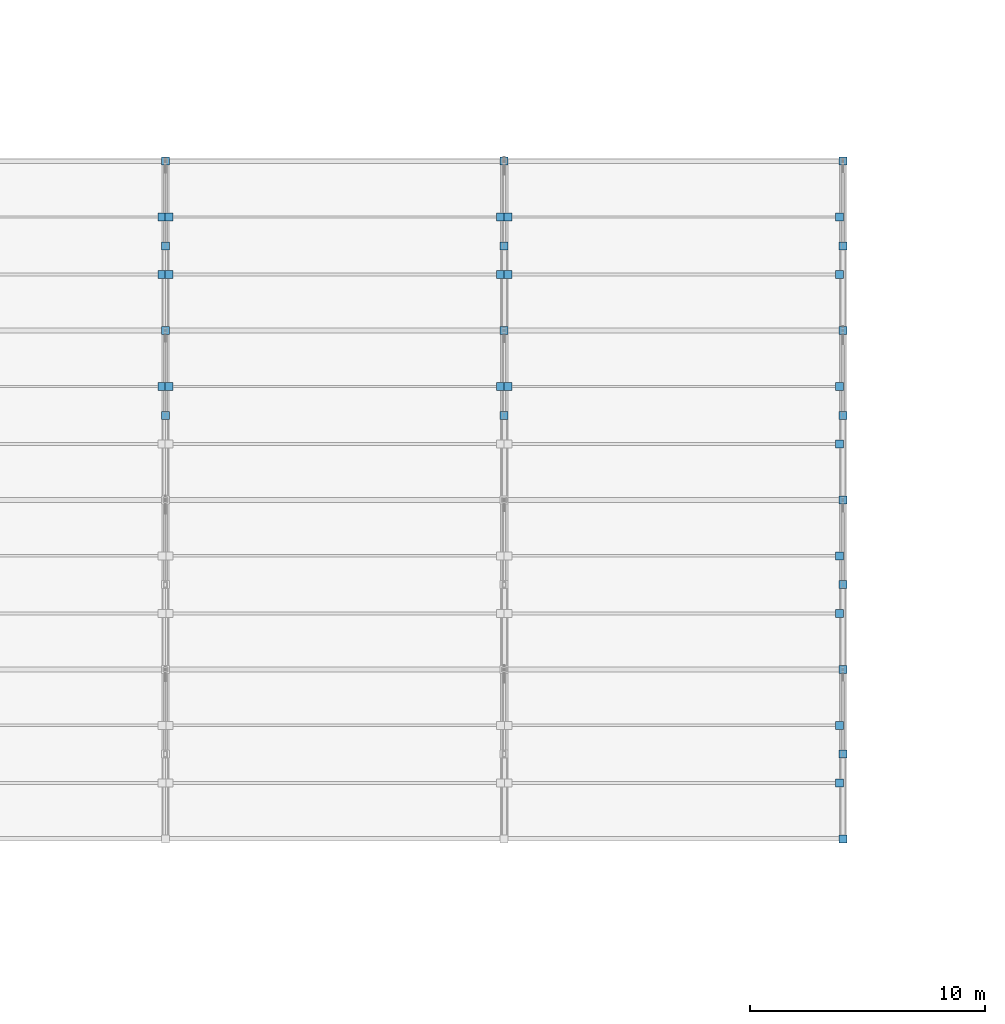
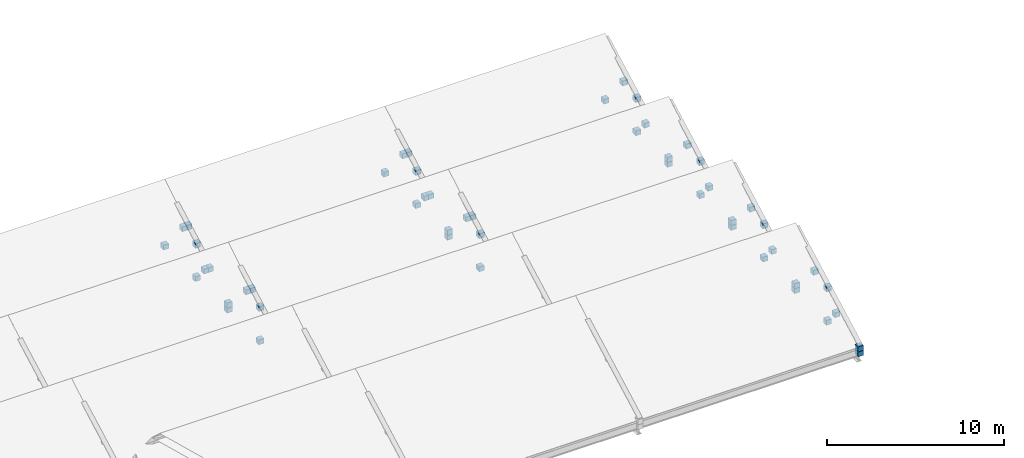
# One storey, part 43 of 51: 51 discrete accessories.
"""IFC4 building model written with IfcOpenShell, lengths in metres."""

from ifc_helpers import new_model, si_unit, direction, frame, origin, origin_2d, place, context, subcontext, project, spatial, rectangle, extrude, material, type_object, element, save


model = new_model("IFC4")

# Units and contexts
model_context = context("Model", 3, precision=1e-05, world=origin(), true_north=direction((0.0, 1.0)))
body_context = subcontext(model_context, "Body", "Model", "MODEL_VIEW")
ifc_project = project(units=[si_unit("LENGTHUNIT", "METRE"), si_unit("AREAUNIT", "SQUARE_METRE"), si_unit("VOLUMEUNIT", "CUBIC_METRE"), si_unit("PLANEANGLEUNIT", "RADIAN"), si_unit("MASSUNIT", "GRAM", prefix="KILO")], contexts=[model_context])

# Site, building, storey
site_placement = place(None, origin())
site = spatial("IfcSite", under=ifc_project, at=site_placement, CompositionType="ELEMENT")
building_placement = place(site_placement, origin())
building = spatial("IfcBuilding", under=site, at=building_placement, Name="Valkovuoma Quantum and Materials Research Institute", CompositionType="ELEMENT")
storey_placement = place(building_placement, frame((0.0, 0.0, 17.280029296875)))
storey = spatial("IfcBuildingStorey", under=building, at=storey_placement, Name="L04", CompositionType="ELEMENT", Elevation=17.280029296875)

# Discrete accessories
ifc_material = material(Name="Steel S355J2", Category="steel")
discrete_accessory_type = type_object("IfcDiscreteAccessoryType", Name="Conn-END-01", PredefinedType="BRACKET", material=ifc_material)
for number, where, z_axis, x_axis, name in (
    (1, (72.0, 57.60009765625, -0.52001953125), (0.0, 0.0, 1.0), (1.0, 0.0, 0.0), "L04 brace end connection assembly 0177"),
    (2, (72.0, 54.0, -0.52001953125), (0.0, 0.0, 1.0), (1.0, 0.0, 0.0), "L04 brace end connection assembly 0178"),
    (3, (72.0, 54.0, 1.77490234375), (0.0, 0.0, 1.0), (1.0, 0.0, 0.0), "L04 brace end connection assembly 0179"),
    (4, (72.0, 57.60009765625, -0.169921875), (0.0, 0.0, 1.0), (1.0, 0.0, 0.0), "L04 brace end connection assembly 0180"),
    (5, (72.0, 64.800048828125, -0.52001953125), (0.0, 0.0, 1.0), (1.0, 0.0, 0.0), "L04 brace end connection assembly 0181"),
    (6, (72.0, 61.199951171875, -0.52001953125), (0.0, 0.0, 1.0), (1.0, 0.0, 0.0), "L04 brace end connection assembly 0182"),
    (7, (72.0, 61.199951171875, 1.77490234375), (0.0, 0.0, 1.0), (1.0, 0.0, 0.0), "L04 brace end connection assembly 0183"),
    (8, (86.39990234375, 57.60009765625, -0.52001953125), (0.0, 0.0, 1.0), (1.0, 0.0, 0.0), "L04 brace end connection assembly 0194"),
    (9, (86.39990234375, 54.0, -0.52001953125), (0.0, 0.0, 1.0), (1.0, 0.0, 0.0), "L04 brace end connection assembly 0195"),
    (10, (86.39990234375, 54.0, 1.77490234375), (0.0, 0.0, 1.0), (1.0, 0.0, 0.0), "L04 brace end connection assembly 0196"),
    (11, (86.39990234375, 57.60009765625, -0.169921875), (0.0, 0.0, 1.0), (1.0, 0.0, 0.0), "L04 brace end connection assembly 0197"),
    (12, (86.39990234375, 64.800048828125, -0.52001953125), (0.0, 0.0, 1.0), (1.0, 0.0, 0.0), "L04 brace end connection assembly 0198"),
    (13, (86.39990234375, 61.199951171875, -0.52001953125), (0.0, 0.0, 1.0), (1.0, 0.0, 0.0), "L04 brace end connection assembly 0199"),
    (14, (86.39990234375, 61.199951171875, 1.77490234375), (0.0, 0.0, 1.0), (1.0, 0.0, 0.0), "L04 brace end connection assembly 0200"),
    (15, (100.800048828125, 36.0, -0.169921875), (0.0, 0.0, 1.0), (1.0, 0.0, 0.0), "L04 brace end connection assembly 0201"),
    (16, (100.800048828125, 43.199951171875, -0.52001953125), (0.0, 0.0, 1.0), (1.0, 0.0, 0.0), "L04 brace end connection assembly 0202"),
    (17, (100.800048828125, 39.60009765625, -0.52001953125), (0.0, 0.0, 1.0), (1.0, 0.0, 0.0), "L04 brace end connection assembly 0203"),
    (18, (100.800048828125, 39.60009765625, 1.77490234375), (0.0, 0.0, 1.0), (1.0, 0.0, 0.0), "L04 brace end connection assembly 0204"),
    (19, (100.800048828125, 36.0, -0.52001953125), (0.0, 0.0, 1.0), (1.0, 0.0, 0.0), "L04 brace end connection assembly 0205"),
    (20, (100.800048828125, 43.199951171875, -0.169921875), (0.0, 0.0, 1.0), (1.0, 0.0, 0.0), "L04 brace end connection assembly 0206"),
    (21, (100.800048828125, 50.39990234375, -0.52001953125), (0.0, 0.0, 1.0), (1.0, 0.0, 0.0), "L04 brace end connection assembly 0207"),
    (22, (100.800048828125, 46.800048828125, -0.52001953125), (0.0, 0.0, 1.0), (1.0, 0.0, 0.0), "L04 brace end connection assembly 0208"),
    (23, (100.800048828125, 46.800048828125, 1.77490234375), (0.0, 0.0, 1.0), (1.0, 0.0, 0.0), "L04 brace end connection assembly 0209"),
    (24, (100.800048828125, 50.39990234375, -0.169921875), (0.0, 0.0, 1.0), (1.0, 0.0, 0.0), "L04 brace end connection assembly 0210"),
    (25, (100.800048828125, 57.60009765625, -0.52001953125), (0.0, 0.0, 1.0), (1.0, 0.0, 0.0), "L04 brace end connection assembly 0211"),
    (26, (100.800048828125, 54.0, -0.52001953125), (0.0, 0.0, 1.0), (1.0, 0.0, 0.0), "L04 brace end connection assembly 0212"),
    (27, (100.800048828125, 54.0, 1.77490234375), (0.0, 0.0, 1.0), (1.0, 0.0, 0.0), "L04 brace end connection assembly 0213"),
    (28, (100.800048828125, 57.60009765625, -0.169921875), (0.0, 0.0, 1.0), (1.0, 0.0, 0.0), "L04 brace end connection assembly 0214"),
    (29, (100.800048828125, 64.800048828125, -0.52001953125), (0.0, 0.0, 1.0), (1.0, 0.0, 0.0), "L04 brace end connection assembly 0215"),
    (30, (100.800048828125, 61.199951171875, -0.52001953125), (0.0, 0.0, 1.0), (1.0, 0.0, 0.0), "L04 brace end connection assembly 0216"),
    (31, (100.800048828125, 61.199951171875, 1.77490234375), (0.0, 0.0, 1.0), (1.0, 0.0, 0.0), "L04 brace end connection assembly 0217"),
    (32, (100.64990234375, 38.3759765625, 0.7939453125), (0.0, 0.0, 1.0), (1.0, 0.0, 0.0), "L04 brace end connection assembly 0231"),
    (33, (100.64990234375, 40.823974609375, 2.2353515625), (0.0, 0.0, 1.0), (1.0, 0.0, 0.0), "L04 brace end connection assembly 0233"),
    (34, (100.64990234375, 45.575927734375, 0.7939453125), (0.0, 0.0, 1.0), (1.0, 0.0, 0.0), "L04 brace end connection assembly 0247"),
    (35, (100.64990234375, 48.02392578125, 2.2353515625), (0.0, 0.0, 1.0), (1.0, 0.0, 0.0), "L04 brace end connection assembly 0249"),
    (36, (71.85009765625, 55.22412109375, 2.2353515625), (0.0, 0.0, 1.0), (1.0, 0.0, 0.0), "L04 brace end connection assembly 0257"),
    (37, (72.14990234375, 55.22412109375, 2.2353515625), (0.0, 0.0, 1.0), (1.0, 0.0, 0.0), "L04 brace end connection assembly 0260"),
    (38, (86.25, 55.22412109375, 2.2353515625), (0.0, 0.0, 1.0), (1.0, 0.0, 0.0), "L04 brace end connection assembly 0261"),
    (39, (100.64990234375, 52.77587890625, 0.7939453125), (0.0, 0.0, 1.0), (1.0, 0.0, 0.0), "L04 brace end connection assembly 0263"),
    (40, (86.550048828125, 55.22412109375, 2.2353515625), (0.0, 0.0, 1.0), (1.0, 0.0, 0.0), "L04 brace end connection assembly 0264"),
    (41, (100.64990234375, 55.22412109375, 2.2353515625), (0.0, 0.0, 1.0), (1.0, 0.0, 0.0), "L04 brace end connection assembly 0265"),
    (42, (71.85009765625, 59.97607421875, 0.7939453125), (0.0, 0.0, 1.0), (1.0, 0.0, 0.0), "L04 brace end connection assembly 0271"),
    (43, (71.85009765625, 62.424072265625, 2.2353515625), (0.0, 0.0, 1.0), (1.0, 0.0, 0.0), "L04 brace end connection assembly 0273"),
    (44, (72.14990234375, 59.97607421875, 0.7939453125), (0.0, 0.0, 1.0), (1.0, 0.0, 0.0), "L04 brace end connection assembly 0274"),
    (45, (86.25, 59.97607421875, 0.7939453125), (0.0, 0.0, 1.0), (1.0, 0.0, 0.0), "L04 brace end connection assembly 0275"),
    (46, (72.14990234375, 62.424072265625, 2.2353515625), (0.0, 0.0, 1.0), (1.0, 0.0, 0.0), "L04 brace end connection assembly 0276"),
    (47, (86.25, 62.424072265625, 2.2353515625), (0.0, 0.0, 1.0), (1.0, 0.0, 0.0), "L04 brace end connection assembly 0277"),
    (48, (86.550048828125, 59.97607421875, 0.7939453125), (0.0, 0.0, 1.0), (1.0, 0.0, 0.0), "L04 brace end connection assembly 0278"),
    (49, (100.64990234375, 59.97607421875, 0.7939453125), (0.0, 0.0, 1.0), (1.0, 0.0, 0.0), "L04 brace end connection assembly 0279"),
    (50, (86.550048828125, 62.424072265625, 2.2353515625), (0.0, 0.0, 1.0), (1.0, 0.0, 0.0), "L04 brace end connection assembly 0280"),
    (51, (100.64990234375, 62.424072265625, 2.2353515625), (0.0, 0.0, 1.0), (1.0, 0.0, 0.0), "L04 brace end connection assembly 0281"),
):
    element("IfcDiscreteAccessory", number, at=place(storey_placement, frame(where, z_axis=z_axis, x_axis=x_axis)), inside=storey, type_object=discrete_accessory_type, Name=name, PredefinedType="BRACKET", context=body_context, shape_type="SweptSolid", body=[
        extrude(rectangle(XDim=0.340087890625, YDim=0.340087890625, at=origin_2d()), origin(), (0.0, 0.0, 1.0), 0.340087890625),
    ])

save(model, "model.ifc")
